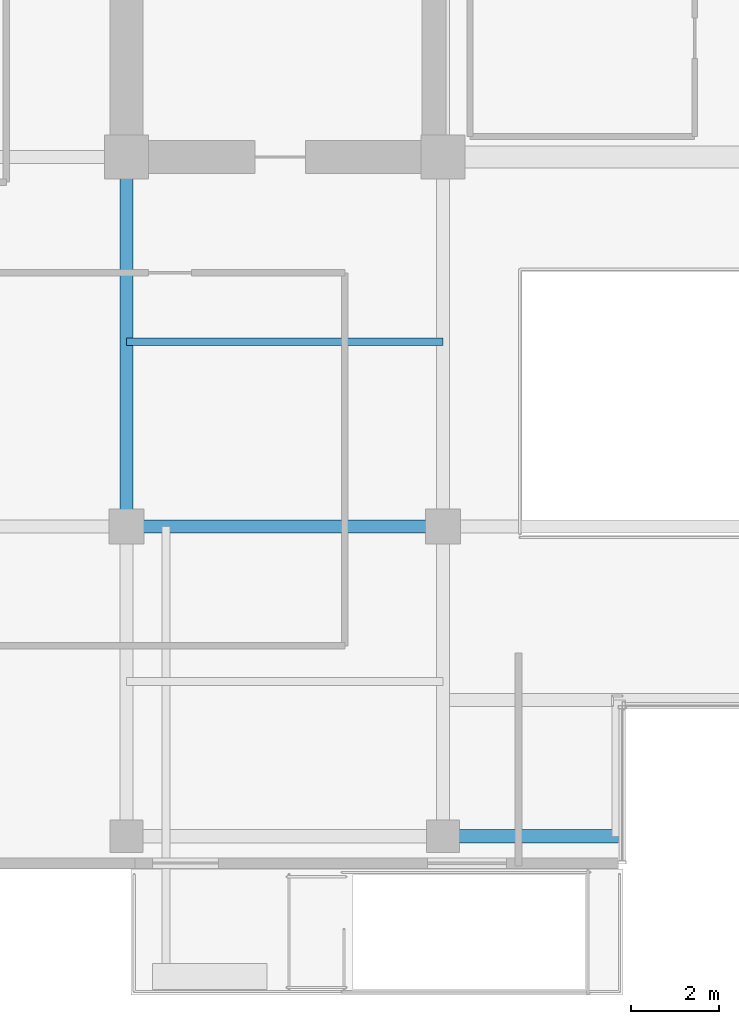
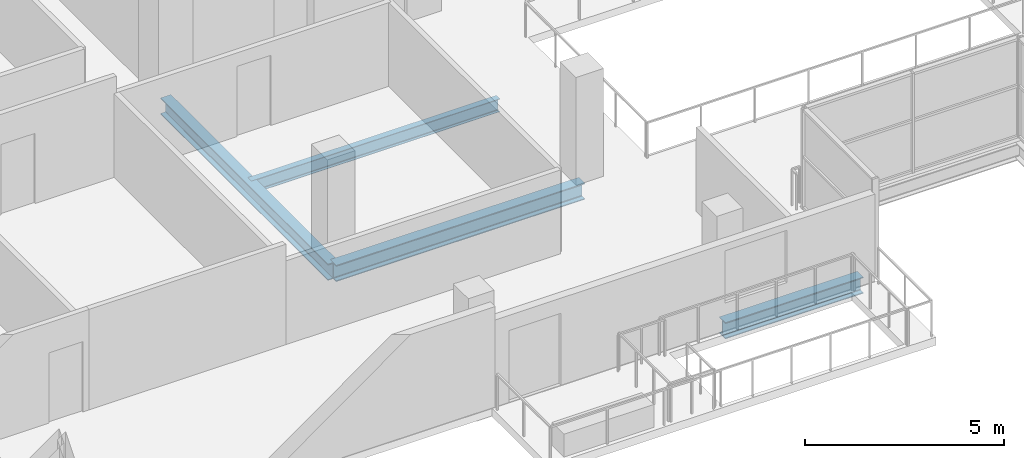
# One storey, part 5 of 23: 4 beams.
"""IFC4 building model written with IfcOpenShell, lengths in metres."""

from ifc_helpers import new_model, si_unit, direction, frame, origin, origin_2d, place, context, subcontext, project, spatial, i_section, extrude, material, material_profile, profile_set, type_object, element, save


model = new_model("IFC4")

# Units and contexts
model_context = context("Model", 3, precision=1e-05, world=origin(), true_north=direction((0.0, 1.0)))
body_context = subcontext(model_context, "Body", "Model", "MODEL_VIEW")
ifc_project = project(units=[si_unit("LENGTHUNIT", "METRE"), si_unit("AREAUNIT", "SQUARE_METRE"), si_unit("VOLUMEUNIT", "CUBIC_METRE"), si_unit("PLANEANGLEUNIT", "RADIAN"), si_unit("MASSUNIT", "GRAM", prefix="KILO")], contexts=[model_context])

# Site, building, storey
site_placement = place(None, origin())
site = spatial("IfcSite", under=ifc_project, at=site_placement, CompositionType="ELEMENT")
building_placement = place(site_placement, origin())
building = spatial("IfcBuilding", under=site, at=building_placement, Name="Zarnakvel Exchange Tower", CompositionType="ELEMENT")
storey_placement = place(building_placement, frame((0.0, 0.0, 149.5)))
storey = spatial("IfcBuildingStorey", under=building, at=storey_placement, Name="L41", CompositionType="ELEMENT", Elevation=149.5)

# Beams
ifc_material = material(Name="Steel S355", Category="steel")
ifc_material_profile_1 = material_profile(ifc_material, i_section(OverallWidth=0.179931640625, OverallDepth=0.39990234375, WebThickness=0.008544921875, FlangeThickness=0.013427734375, FilletRadius=0.02099609375, at=origin_2d()))
ifc_profile_set_1 = profile_set([ifc_material_profile_1], Name="Steel S355")
beam_type_1 = type_object("IfcBeamType", Name="B-06", PredefinedType="JOIST", material=ifc_profile_set_1)
beam_1_placement = place(storey_placement, frame((-14.39990234375, -5.39990234375, -0.425048828125), z_axis=(1.0, 0.0, 0.0), x_axis=(0.0, 1.0, 0.0)))
element("IfcBeam", 1, at=beam_1_placement, inside=storey, type_object=beam_type_1, Name="L41 Composite Floor Secondary Joist", PredefinedType="JOIST", context=body_context, shape_type="SweptSolid", body=[
    extrude(i_section(OverallWidth=0.179931640625, OverallDepth=0.39990234375, WebThickness=0.008544921875, FlangeThickness=0.013427734375, FilletRadius=0.02099609375, at=origin_2d()), origin(), (0.0, 0.0, 1.0), 7.199951171875),
])
ifc_material_profile_2 = material_profile(ifc_material, i_section(OverallWidth=0.300048828125, OverallDepth=0.5, WebThickness=0.014404296875, FlangeThickness=0.028076171875, FilletRadius=0.027099609375, at=origin_2d()))
ifc_profile_set_2 = profile_set([ifc_material_profile_2], Name="Steel S355")
beam_type_2 = type_object("IfcBeamType", Name="G-06", PredefinedType="BEAM", material=ifc_profile_set_2)
beam_2_placement = place(storey_placement, frame((-14.39990234375, -9.60009765625, -0.47509765625), z_axis=(1.0, 0.0, 0.0), x_axis=(0.0, 1.0, 0.0)))
element("IfcBeam", 2, at=beam_2_placement, inside=storey, type_object=beam_type_2, Name="L41 Tower E-W Frame Beam", PredefinedType="BEAM", context=body_context, shape_type="SweptSolid", body=[
    extrude(i_section(OverallWidth=0.300048828125, OverallDepth=0.5, WebThickness=0.014404296875, FlangeThickness=0.028076171875, FilletRadius=0.027099609375, at=origin_2d()), origin(), (0.0, 0.0, 1.0), 7.199951171875),
])
beam_3_placement = place(storey_placement, frame((-14.39990234375, -9.60009765625, -0.47509765625), z_axis=(0.0, 1.0, 0.0), x_axis=(-1.0, 0.0, 0.0)))
element("IfcBeam", 3, at=beam_3_placement, inside=storey, type_object=beam_type_2, Name="L41 Tower N-S Frame Beam", PredefinedType="BEAM", context=body_context, shape_type="SweptSolid", body=[
    extrude(i_section(OverallWidth=0.300048828125, OverallDepth=0.5, WebThickness=0.014404296875, FlangeThickness=0.028076171875, FilletRadius=0.027099609375, at=origin_2d()), origin(), (0.0, 0.0, 1.0), 8.400146484375),
])
ifc_material_profile_3 = material_profile(ifc_material, i_section(OverallWidth=0.300048828125, OverallDepth=0.5, WebThickness=0.014404296875, FlangeThickness=0.028076171875, FilletRadius=0.027099609375, at=origin_2d()))
ifc_profile_set_3 = profile_set([ifc_material_profile_3], Name="Steel S355")
beam_type_3 = type_object("IfcBeamType", Name="SP-02", PredefinedType="SPANDREL", material=ifc_profile_set_3)
beam_4_placement = place(storey_placement, frame((-7.199951171875, -16.64990234375, -0.47509765625), z_axis=(1.0, 0.0, 0.0), x_axis=(0.0, 1.0, 0.0)))
element("IfcBeam", 4, at=beam_4_placement, inside=storey, type_object=beam_type_3, Name="L41 South Slot West Jamb Spandrel", PredefinedType="SPANDREL", context=body_context, shape_type="SweptSolid", body=[
    extrude(i_section(OverallWidth=0.300048828125, OverallDepth=0.5, WebThickness=0.014404296875, FlangeThickness=0.028076171875, FilletRadius=0.027099609375, at=origin_2d()), origin(), (0.0, 0.0, 1.0), 4.0),
])

save(model, "model.ifc")
